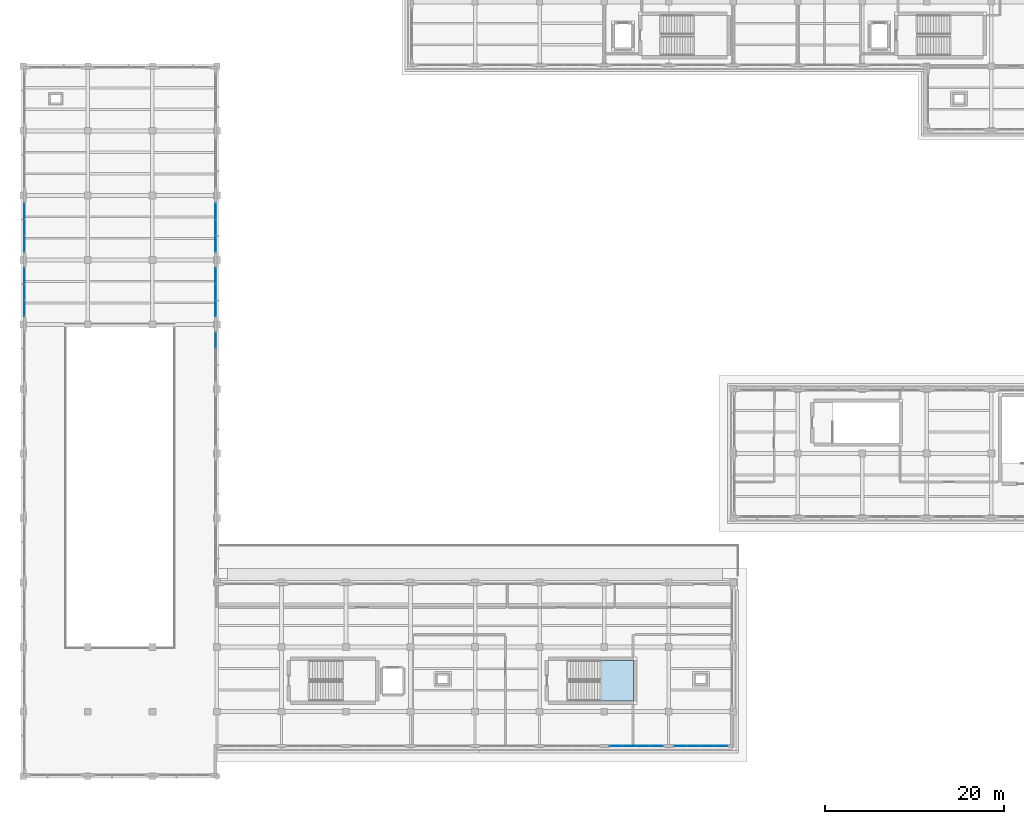
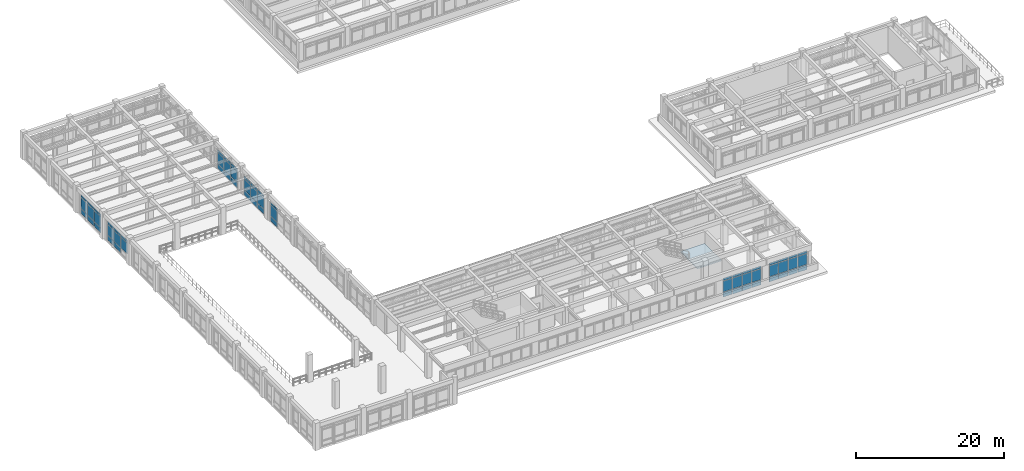
# One storey, part 36 of 64: 62 plates, 1 slab, 8 elements without a shape of their own.
"""IFC4 building model written with IfcOpenShell, lengths in metres."""

from ifc_helpers import new_model, si_unit, direction, frame, origin, origin_2d, place, context, subcontext, project, spatial, polyline, rectangle, outline, extrude, material, layer, layer_set, type_object, element, aggregate, save


model = new_model("IFC4")

# Units and contexts
model_context = context("Model", 3, precision=1e-05, world=origin(), true_north=direction((0.0, 1.0)))
body_context = subcontext(model_context, "Body", "Model", "MODEL_VIEW")
ifc_project = project(units=[si_unit("LENGTHUNIT", "METRE"), si_unit("AREAUNIT", "SQUARE_METRE"), si_unit("VOLUMEUNIT", "CUBIC_METRE"), si_unit("PLANEANGLEUNIT", "RADIAN"), si_unit("MASSUNIT", "GRAM", prefix="KILO")], contexts=[model_context])

# Site, building, storey
site_placement = place(None, origin())
site = spatial("IfcSite", under=ifc_project, at=site_placement, CompositionType="ELEMENT")
building_placement = place(site_placement, origin())
building = spatial("IfcBuilding", under=site, at=building_placement, Name="Solenvale Faculty of Natural Sciences", CompositionType="ELEMENT")
storey_placement = place(building_placement, frame((0.0, 0.0, 18.0)))
storey = spatial("IfcBuildingStorey", under=building, at=storey_placement, Name="L04", CompositionType="ELEMENT", Elevation=18.0)

# Curtain wall, plates
ifc_material_1 = material(Name="Anodised bronze aluminium", Category="aluminium")
ifc_layer_1 = layer(ifc_material_1, 0.215087890625)
ifc_layer_set_1 = layer_set([ifc_layer_1], Name="Anodised bronze aluminium")
curtain_wall_type_1 = type_object("IfcCurtainWallType", Name="CW-ATR-UNIT", PredefinedType="USERDEFINED", material=ifc_layer_set_1)
curtain_wall_1_placement = place(storey_placement, origin())
curtain_wall_1 = element("IfcCurtainWall", 1, at=curtain_wall_1_placement, inside=storey, type_object=curtain_wall_type_1, Name="L04 Curtain Wall CW-L04-P1-E1-B4", ObjectType="UNITISED CURTAIN WALL", PredefinedType="USERDEFINED")
ifc_material_2 = material(Name="Triple low-E insulated glass", Category="glass")
ifc_layer_2 = layer(ifc_material_2, 0.035888671875)
ifc_layer_set_2 = layer_set([ifc_layer_2], Name="Triple low-E insulated glass")
plate_type_1 = type_object("IfcPlateType", Name="CWP-PNL-36", PredefinedType="CURTAIN_PANEL", material=ifc_layer_set_2)
plate_1_placement = place(storey_placement, frame((57.45751953125, 63.0146484375, 0.074951171875), z_axis=(0.0, 0.0, 1.0), x_axis=(0.0, 1.0, 0.0)))
plate_1 = element("IfcPlate", 2, at=plate_1_placement, type_object=plate_type_1, Name="CW-01 panel 3.1", PredefinedType="CURTAIN_PANEL", context=body_context, shape_type="SweptSolid", body=[
    extrude(rectangle(XDim=1.720947265625, YDim=0.035888671875, at=origin_2d()), origin(), (0.0, 0.0, 1.0), 0.78759765625),
])
plate_2_placement = place(storey_placement, frame((57.45751953125, 63.0146484375, 0.9375), z_axis=(0.0, 0.0, 1.0), x_axis=(0.0, 1.0, 0.0)))
plate_2 = element("IfcPlate", 3, at=plate_2_placement, type_object=plate_type_1, Name="CW-01 panel 3.2", PredefinedType="CURTAIN_PANEL", context=body_context, shape_type="SweptSolid", body=[
    extrude(rectangle(XDim=1.720947265625, YDim=0.035888671875, at=origin_2d()), origin(), (0.0, 0.0, 1.0), 1.784912109375),
])
plate_3_placement = place(storey_placement, frame((57.45751953125, 63.0146484375, 2.79736328125), z_axis=(0.0, 0.0, 1.0), x_axis=(0.0, 1.0, 0.0)))
plate_3 = element("IfcPlate", 4, at=plate_3_placement, type_object=plate_type_1, Name="CW-01 panel 3.3", PredefinedType="CURTAIN_PANEL", context=body_context, shape_type="SweptSolid", body=[
    extrude(rectangle(XDim=1.720947265625, YDim=0.035888671875, at=origin_2d()), origin(), (0.0, 0.0, 1.0), 0.387451171875),
])
aggregate(curtain_wall_1, [plate_1, plate_2, plate_3])

ifc_layer_3 = layer(ifc_material_1, 0.18994140625)
ifc_layer_set_3 = layer_set([ifc_layer_3], Name="Anodised bronze aluminium")
curtain_wall_type_2 = type_object("IfcCurtainWallType", Name="CW-TRAY-REC", PredefinedType="USERDEFINED", material=ifc_layer_set_3)
curtain_wall_2_placement = place(storey_placement, origin())
curtain_wall_2 = element("IfcCurtainWall", 5, at=curtain_wall_2_placement, inside=storey, type_object=curtain_wall_type_2, Name="L04 Curtain Wall CW-L04-P1-E6-B7", ObjectType="UNITISED CURTAIN WALL", PredefinedType="USERDEFINED")
plate_4_placement = place(storey_placement, frame((102.15380859375, 17.762451171875, 0.074951171875), z_axis=(0.0, 0.0, 1.0), x_axis=(1.0, 0.0, 0.0)))
plate_4 = element("IfcPlate", 6, at=plate_4_placement, type_object=plate_type_1, Name="CW-02 panel 1.1", PredefinedType="CURTAIN_PANEL", context=body_context, shape_type="SweptSolid", body=[
    extrude(rectangle(XDim=1.3974609375, YDim=0.035888671875, at=origin_2d()), origin(), (0.0, 0.0, 1.0), 0.78759765625),
])
plate_5_placement = place(storey_placement, frame((102.15380859375, 17.762451171875, 0.9375), z_axis=(0.0, 0.0, 1.0), x_axis=(1.0, 0.0, 0.0)))
plate_5 = element("IfcPlate", 7, at=plate_5_placement, type_object=plate_type_1, Name="CW-02 panel 1.2", PredefinedType="CURTAIN_PANEL", context=body_context, shape_type="SweptSolid", body=[
    extrude(rectangle(XDim=1.3974609375, YDim=0.035888671875, at=origin_2d()), origin(), (0.0, 0.0, 1.0), 1.784912109375),
])
plate_6_placement = place(storey_placement, frame((102.15380859375, 17.762451171875, 2.79736328125), z_axis=(0.0, 0.0, 1.0), x_axis=(1.0, 0.0, 0.0)))
plate_6 = element("IfcPlate", 8, at=plate_6_placement, type_object=plate_type_1, Name="CW-02 panel 1.3", PredefinedType="CURTAIN_PANEL", context=body_context, shape_type="SweptSolid", body=[
    extrude(rectangle(XDim=1.3974609375, YDim=0.035888671875, at=origin_2d()), origin(), (0.0, 0.0, 1.0), 0.387451171875),
])
plate_7_placement = place(storey_placement, frame((103.64501953125, 17.762451171875, 0.074951171875), z_axis=(0.0, 0.0, 1.0), x_axis=(1.0, 0.0, 0.0)))
plate_7 = element("IfcPlate", 9, at=plate_7_placement, type_object=plate_type_1, Name="CW-02 panel 2.1", PredefinedType="CURTAIN_PANEL", context=body_context, shape_type="SweptSolid", body=[
    extrude(rectangle(XDim=1.43505859375, YDim=0.035888671875, at=origin_2d()), origin(), (0.0, 0.0, 1.0), 0.78759765625),
])
plate_8_placement = place(storey_placement, frame((103.64501953125, 17.762451171875, 0.9375), z_axis=(0.0, 0.0, 1.0), x_axis=(1.0, 0.0, 0.0)))
plate_8 = element("IfcPlate", 10, at=plate_8_placement, type_object=plate_type_1, Name="CW-02 panel 2.2", PredefinedType="CURTAIN_PANEL", context=body_context, shape_type="SweptSolid", body=[
    extrude(rectangle(XDim=1.43505859375, YDim=0.035888671875, at=origin_2d()), origin(), (0.0, 0.0, 1.0), 1.784912109375),
])
plate_9_placement = place(storey_placement, frame((103.64501953125, 17.762451171875, 2.79736328125), z_axis=(0.0, 0.0, 1.0), x_axis=(1.0, 0.0, 0.0)))
plate_9 = element("IfcPlate", 11, at=plate_9_placement, type_object=plate_type_1, Name="CW-02 panel 2.3", PredefinedType="CURTAIN_PANEL", context=body_context, shape_type="SweptSolid", body=[
    extrude(rectangle(XDim=1.43505859375, YDim=0.035888671875, at=origin_2d()), origin(), (0.0, 0.0, 1.0), 0.387451171875),
])
plate_10_placement = place(storey_placement, frame((105.155029296875, 17.762451171875, 0.074951171875), z_axis=(0.0, 0.0, 1.0), x_axis=(1.0, 0.0, 0.0)))
plate_10 = element("IfcPlate", 12, at=plate_10_placement, type_object=plate_type_1, Name="CW-02 panel 3.1", PredefinedType="CURTAIN_PANEL", context=body_context, shape_type="SweptSolid", body=[
    extrude(rectangle(XDim=1.43505859375, YDim=0.035888671875, at=origin_2d()), origin(), (0.0, 0.0, 1.0), 0.78759765625),
])
plate_11_placement = place(storey_placement, frame((105.155029296875, 17.762451171875, 0.9375), z_axis=(0.0, 0.0, 1.0), x_axis=(1.0, 0.0, 0.0)))
plate_11 = element("IfcPlate", 13, at=plate_11_placement, type_object=plate_type_1, Name="CW-02 panel 3.2", PredefinedType="CURTAIN_PANEL", context=body_context, shape_type="SweptSolid", body=[
    extrude(rectangle(XDim=1.43505859375, YDim=0.035888671875, at=origin_2d()), origin(), (0.0, 0.0, 1.0), 1.784912109375),
])
plate_12_placement = place(storey_placement, frame((105.155029296875, 17.762451171875, 2.79736328125), z_axis=(0.0, 0.0, 1.0), x_axis=(1.0, 0.0, 0.0)))
plate_12 = element("IfcPlate", 14, at=plate_12_placement, type_object=plate_type_1, Name="CW-02 panel 3.3", PredefinedType="CURTAIN_PANEL", context=body_context, shape_type="SweptSolid", body=[
    extrude(rectangle(XDim=1.43505859375, YDim=0.035888671875, at=origin_2d()), origin(), (0.0, 0.0, 1.0), 0.387451171875),
])
plate_13_placement = place(storey_placement, frame((106.646240234375, 17.762451171875, 0.074951171875), z_axis=(0.0, 0.0, 1.0), x_axis=(1.0, 0.0, 0.0)))
plate_13 = element("IfcPlate", 15, at=plate_13_placement, type_object=plate_type_1, Name="CW-02 panel 4.1", PredefinedType="CURTAIN_PANEL", context=body_context, shape_type="SweptSolid", body=[
    extrude(rectangle(XDim=1.3974609375, YDim=0.035888671875, at=origin_2d()), origin(), (0.0, 0.0, 1.0), 0.78759765625),
])
plate_14_placement = place(storey_placement, frame((106.646240234375, 17.762451171875, 0.9375), z_axis=(0.0, 0.0, 1.0), x_axis=(1.0, 0.0, 0.0)))
plate_14 = element("IfcPlate", 16, at=plate_14_placement, type_object=plate_type_1, Name="CW-02 panel 4.2", PredefinedType="CURTAIN_PANEL", context=body_context, shape_type="SweptSolid", body=[
    extrude(rectangle(XDim=1.3974609375, YDim=0.035888671875, at=origin_2d()), origin(), (0.0, 0.0, 1.0), 1.784912109375),
])
plate_15_placement = place(storey_placement, frame((106.646240234375, 17.762451171875, 2.79736328125), z_axis=(0.0, 0.0, 1.0), x_axis=(1.0, 0.0, 0.0)))
plate_15 = element("IfcPlate", 17, at=plate_15_placement, type_object=plate_type_1, Name="CW-02 panel 4.3", PredefinedType="CURTAIN_PANEL", context=body_context, shape_type="SweptSolid", body=[
    extrude(rectangle(XDim=1.3974609375, YDim=0.035888671875, at=origin_2d()), origin(), (0.0, 0.0, 1.0), 0.387451171875),
])
aggregate(curtain_wall_2, [plate_4, plate_5, plate_6, plate_7, plate_8, plate_9, plate_10, plate_11, plate_12, plate_13, plate_14, plate_15])

curtain_wall_3_placement = place(storey_placement, origin())
curtain_wall_3 = element("IfcCurtainWall", 18, at=curtain_wall_3_placement, inside=storey, type_object=curtain_wall_type_1, Name="L04 Curtain Wall CW-L04-P1-E1-B5", ObjectType="UNITISED CURTAIN WALL", PredefinedType="USERDEFINED")
ifc_layer_4 = layer(ifc_material_2, 0.0400390625)
ifc_layer_set_4 = layer_set([ifc_layer_4], Name="Triple low-E insulated glass")
plate_type_2 = type_object("IfcPlateType", Name="CWP-PNL-40", PredefinedType="CURTAIN_PANEL", material=ifc_layer_set_4)
plate_16_placement = place(storey_placement, frame((57.45751953125, 66.58544921875, 0.074951171875), z_axis=(0.0, 0.0, 1.0), x_axis=(0.0, 1.0, 0.0)))
plate_16 = element("IfcPlate", 19, at=plate_16_placement, type_object=plate_type_2, Name="CW-01 panel 1.1", PredefinedType="CURTAIN_PANEL", context=body_context, shape_type="SweptSolid", body=[
    extrude(rectangle(XDim=1.720947265625, YDim=0.0400390625, at=origin_2d()), origin(), (0.0, 0.0, 1.0), 0.78759765625),
])
plate_17_placement = place(storey_placement, frame((57.45751953125, 66.58544921875, 0.9375), z_axis=(0.0, 0.0, 1.0), x_axis=(0.0, 1.0, 0.0)))
plate_17 = element("IfcPlate", 20, at=plate_17_placement, type_object=plate_type_2, Name="CW-01 panel 1.2", PredefinedType="CURTAIN_PANEL", context=body_context, shape_type="SweptSolid", body=[
    extrude(rectangle(XDim=1.720947265625, YDim=0.0400390625, at=origin_2d()), origin(), (0.0, 0.0, 1.0), 1.784912109375),
])
plate_18_placement = place(storey_placement, frame((57.45751953125, 66.58544921875, 2.79736328125), z_axis=(0.0, 0.0, 1.0), x_axis=(0.0, 1.0, 0.0)))
plate_18 = element("IfcPlate", 21, at=plate_18_placement, type_object=plate_type_2, Name="CW-01 panel 1.3", PredefinedType="CURTAIN_PANEL", context=body_context, shape_type="SweptSolid", body=[
    extrude(rectangle(XDim=1.720947265625, YDim=0.0400390625, at=origin_2d()), origin(), (0.0, 0.0, 1.0), 0.387451171875),
])
plate_19_placement = place(storey_placement, frame((57.45751953125, 68.39990234375, 0.074951171875), z_axis=(0.0, 0.0, 1.0), x_axis=(0.0, 1.0, 0.0)))
plate_19 = element("IfcPlate", 22, at=plate_19_placement, type_object=plate_type_2, Name="CW-01 panel 2.1", PredefinedType="CURTAIN_PANEL", context=body_context, shape_type="SweptSolid", body=[
    extrude(rectangle(XDim=1.75830078125, YDim=0.0400390625, at=origin_2d()), origin(), (0.0, 0.0, 1.0), 0.78759765625),
])
plate_20_placement = place(storey_placement, frame((57.45751953125, 68.39990234375, 0.9375), z_axis=(0.0, 0.0, 1.0), x_axis=(0.0, 1.0, 0.0)))
plate_20 = element("IfcPlate", 23, at=plate_20_placement, type_object=plate_type_2, Name="CW-01 panel 2.2", PredefinedType="CURTAIN_PANEL", context=body_context, shape_type="SweptSolid", body=[
    extrude(rectangle(XDim=1.75830078125, YDim=0.0400390625, at=origin_2d()), origin(), (0.0, 0.0, 1.0), 1.784912109375),
])
plate_21_placement = place(storey_placement, frame((57.45751953125, 68.39990234375, 2.79736328125), z_axis=(0.0, 0.0, 1.0), x_axis=(0.0, 1.0, 0.0)))
plate_21 = element("IfcPlate", 24, at=plate_21_placement, type_object=plate_type_2, Name="CW-01 panel 2.3", PredefinedType="CURTAIN_PANEL", context=body_context, shape_type="SweptSolid", body=[
    extrude(rectangle(XDim=1.75830078125, YDim=0.0400390625, at=origin_2d()), origin(), (0.0, 0.0, 1.0), 0.387451171875),
])
plate_22_placement = place(storey_placement, frame((57.45751953125, 70.214599609375, 0.074951171875), z_axis=(0.0, 0.0, 1.0), x_axis=(0.0, 1.0, 0.0)))
plate_22 = element("IfcPlate", 25, at=plate_22_placement, type_object=plate_type_2, Name="CW-01 panel 3.1", PredefinedType="CURTAIN_PANEL", context=body_context, shape_type="SweptSolid", body=[
    extrude(rectangle(XDim=1.720947265625, YDim=0.0400390625, at=origin_2d()), origin(), (0.0, 0.0, 1.0), 0.78759765625),
])
plate_23_placement = place(storey_placement, frame((57.45751953125, 70.214599609375, 0.9375), z_axis=(0.0, 0.0, 1.0), x_axis=(0.0, 1.0, 0.0)))
plate_23 = element("IfcPlate", 26, at=plate_23_placement, type_object=plate_type_2, Name="CW-01 panel 3.2", PredefinedType="CURTAIN_PANEL", context=body_context, shape_type="SweptSolid", body=[
    extrude(rectangle(XDim=1.720947265625, YDim=0.0400390625, at=origin_2d()), origin(), (0.0, 0.0, 1.0), 1.784912109375),
])
plate_24_placement = place(storey_placement, frame((57.45751953125, 70.214599609375, 2.79736328125), z_axis=(0.0, 0.0, 1.0), x_axis=(0.0, 1.0, 0.0)))
plate_24 = element("IfcPlate", 27, at=plate_24_placement, type_object=plate_type_2, Name="CW-01 panel 3.3", PredefinedType="CURTAIN_PANEL", context=body_context, shape_type="SweptSolid", body=[
    extrude(rectangle(XDim=1.720947265625, YDim=0.0400390625, at=origin_2d()), origin(), (0.0, 0.0, 1.0), 0.387451171875),
])
aggregate(curtain_wall_3, [plate_16, plate_17, plate_18, plate_19, plate_20, plate_21, plate_22, plate_23, plate_24])

curtain_wall_4_placement = place(storey_placement, origin())
curtain_wall_4 = element("IfcCurtainWall", 28, at=curtain_wall_4_placement, inside=storey, type_object=curtain_wall_type_1, Name="L04 Curtain Wall CW-L04-P1-E3-B3", ObjectType="UNITISED CURTAIN WALL", PredefinedType="USERDEFINED")
plate_25_placement = place(storey_placement, frame((36.142578125, 77.41455078125, 0.074951171875), z_axis=(0.0, 0.0, 1.0), x_axis=(0.0, -1.0, 0.0)))
plate_25 = element("IfcPlate", 29, at=plate_25_placement, type_object=plate_type_2, Name="CW-01 panel 1.1", PredefinedType="CURTAIN_PANEL", context=body_context, shape_type="SweptSolid", body=[
    extrude(rectangle(XDim=1.720947265625, YDim=0.0400390625, at=origin_2d()), origin(), (0.0, 0.0, 1.0), 0.78759765625),
])
plate_26_placement = place(storey_placement, frame((36.142578125, 77.41455078125, 0.9375), z_axis=(0.0, 0.0, 1.0), x_axis=(0.0, -1.0, 0.0)))
plate_26 = element("IfcPlate", 30, at=plate_26_placement, type_object=plate_type_2, Name="CW-01 panel 1.2", PredefinedType="CURTAIN_PANEL", context=body_context, shape_type="SweptSolid", body=[
    extrude(rectangle(XDim=1.720947265625, YDim=0.0400390625, at=origin_2d()), origin(), (0.0, 0.0, 1.0), 1.784912109375),
])
plate_27_placement = place(storey_placement, frame((36.142578125, 77.41455078125, 2.79736328125), z_axis=(0.0, 0.0, 1.0), x_axis=(0.0, -1.0, 0.0)))
plate_27 = element("IfcPlate", 31, at=plate_27_placement, type_object=plate_type_2, Name="CW-01 panel 1.3", PredefinedType="CURTAIN_PANEL", context=body_context, shape_type="SweptSolid", body=[
    extrude(rectangle(XDim=1.720947265625, YDim=0.0400390625, at=origin_2d()), origin(), (0.0, 0.0, 1.0), 0.387451171875),
])
plate_28_placement = place(storey_placement, frame((36.142578125, 75.60009765625, 0.074951171875), z_axis=(0.0, 0.0, 1.0), x_axis=(0.0, -1.0, 0.0)))
plate_28 = element("IfcPlate", 32, at=plate_28_placement, type_object=plate_type_2, Name="CW-01 panel 2.1", PredefinedType="CURTAIN_PANEL", context=body_context, shape_type="SweptSolid", body=[
    extrude(rectangle(XDim=1.75830078125, YDim=0.0400390625, at=origin_2d()), origin(), (0.0, 0.0, 1.0), 0.78759765625),
])
plate_29_placement = place(storey_placement, frame((36.142578125, 75.60009765625, 0.9375), z_axis=(0.0, 0.0, 1.0), x_axis=(0.0, -1.0, 0.0)))
plate_29 = element("IfcPlate", 33, at=plate_29_placement, type_object=plate_type_2, Name="CW-01 panel 2.2", PredefinedType="CURTAIN_PANEL", context=body_context, shape_type="SweptSolid", body=[
    extrude(rectangle(XDim=1.75830078125, YDim=0.0400390625, at=origin_2d()), origin(), (0.0, 0.0, 1.0), 1.784912109375),
])
plate_30_placement = place(storey_placement, frame((36.142578125, 75.60009765625, 2.79736328125), z_axis=(0.0, 0.0, 1.0), x_axis=(0.0, -1.0, 0.0)))
plate_30 = element("IfcPlate", 34, at=plate_30_placement, type_object=plate_type_2, Name="CW-01 panel 2.3", PredefinedType="CURTAIN_PANEL", context=body_context, shape_type="SweptSolid", body=[
    extrude(rectangle(XDim=1.75830078125, YDim=0.0400390625, at=origin_2d()), origin(), (0.0, 0.0, 1.0), 0.387451171875),
])
plate_31_placement = place(storey_placement, frame((36.142578125, 73.785400390625, 0.074951171875), z_axis=(0.0, 0.0, 1.0), x_axis=(0.0, -1.0, 0.0)))
plate_31 = element("IfcPlate", 35, at=plate_31_placement, type_object=plate_type_2, Name="CW-01 panel 3.1", PredefinedType="CURTAIN_PANEL", context=body_context, shape_type="SweptSolid", body=[
    extrude(rectangle(XDim=1.720947265625, YDim=0.0400390625, at=origin_2d()), origin(), (0.0, 0.0, 1.0), 0.78759765625),
])
plate_32_placement = place(storey_placement, frame((36.142578125, 73.785400390625, 0.9375), z_axis=(0.0, 0.0, 1.0), x_axis=(0.0, -1.0, 0.0)))
plate_32 = element("IfcPlate", 36, at=plate_32_placement, type_object=plate_type_2, Name="CW-01 panel 3.2", PredefinedType="CURTAIN_PANEL", context=body_context, shape_type="SweptSolid", body=[
    extrude(rectangle(XDim=1.720947265625, YDim=0.0400390625, at=origin_2d()), origin(), (0.0, 0.0, 1.0), 1.784912109375),
])
plate_33_placement = place(storey_placement, frame((36.142578125, 73.785400390625, 2.79736328125), z_axis=(0.0, 0.0, 1.0), x_axis=(0.0, -1.0, 0.0)))
plate_33 = element("IfcPlate", 37, at=plate_33_placement, type_object=plate_type_2, Name="CW-01 panel 3.3", PredefinedType="CURTAIN_PANEL", context=body_context, shape_type="SweptSolid", body=[
    extrude(rectangle(XDim=1.720947265625, YDim=0.0400390625, at=origin_2d()), origin(), (0.0, 0.0, 1.0), 0.387451171875),
])
aggregate(curtain_wall_4, [plate_25, plate_26, plate_27, plate_28, plate_29, plate_30, plate_31, plate_32, plate_33])

curtain_wall_5_placement = place(storey_placement, origin())
curtain_wall_5 = element("IfcCurtainWall", 38, at=curtain_wall_5_placement, inside=storey, type_object=curtain_wall_type_2, Name="L04 Curtain Wall CW-L04-P1-E6-B8", ObjectType="UNITISED CURTAIN WALL", PredefinedType="USERDEFINED")
plate_34_placement = place(storey_placement, frame((109.353759765625, 17.762451171875, 0.074951171875), z_axis=(0.0, 0.0, 1.0), x_axis=(1.0, 0.0, 0.0)))
plate_34 = element("IfcPlate", 39, at=plate_34_placement, type_object=plate_type_2, Name="CW-02 panel 1.1", PredefinedType="CURTAIN_PANEL", context=body_context, shape_type="SweptSolid", body=[
    extrude(rectangle(XDim=1.3974609375, YDim=0.0400390625, at=origin_2d()), origin(), (0.0, 0.0, 1.0), 0.78759765625),
])
plate_35_placement = place(storey_placement, frame((109.353759765625, 17.762451171875, 0.9375), z_axis=(0.0, 0.0, 1.0), x_axis=(1.0, 0.0, 0.0)))
plate_35 = element("IfcPlate", 40, at=plate_35_placement, type_object=plate_type_2, Name="CW-02 panel 1.2", PredefinedType="CURTAIN_PANEL", context=body_context, shape_type="SweptSolid", body=[
    extrude(rectangle(XDim=1.3974609375, YDim=0.0400390625, at=origin_2d()), origin(), (0.0, 0.0, 1.0), 1.784912109375),
])
plate_36_placement = place(storey_placement, frame((109.353759765625, 17.762451171875, 2.79736328125), z_axis=(0.0, 0.0, 1.0), x_axis=(1.0, 0.0, 0.0)))
plate_36 = element("IfcPlate", 41, at=plate_36_placement, type_object=plate_type_2, Name="CW-02 panel 1.3", PredefinedType="CURTAIN_PANEL", context=body_context, shape_type="SweptSolid", body=[
    extrude(rectangle(XDim=1.3974609375, YDim=0.0400390625, at=origin_2d()), origin(), (0.0, 0.0, 1.0), 0.387451171875),
])
plate_37_placement = place(storey_placement, frame((110.844970703125, 17.762451171875, 0.074951171875), z_axis=(0.0, 0.0, 1.0), x_axis=(1.0, 0.0, 0.0)))
plate_37 = element("IfcPlate", 42, at=plate_37_placement, type_object=plate_type_2, Name="CW-02 panel 2.1", PredefinedType="CURTAIN_PANEL", context=body_context, shape_type="SweptSolid", body=[
    extrude(rectangle(XDim=1.43505859375, YDim=0.0400390625, at=origin_2d()), origin(), (0.0, 0.0, 1.0), 0.78759765625),
])
plate_38_placement = place(storey_placement, frame((110.844970703125, 17.762451171875, 0.9375), z_axis=(0.0, 0.0, 1.0), x_axis=(1.0, 0.0, 0.0)))
plate_38 = element("IfcPlate", 43, at=plate_38_placement, type_object=plate_type_2, Name="CW-02 panel 2.2", PredefinedType="CURTAIN_PANEL", context=body_context, shape_type="SweptSolid", body=[
    extrude(rectangle(XDim=1.43505859375, YDim=0.0400390625, at=origin_2d()), origin(), (0.0, 0.0, 1.0), 1.784912109375),
])
plate_39_placement = place(storey_placement, frame((110.844970703125, 17.762451171875, 2.79736328125), z_axis=(0.0, 0.0, 1.0), x_axis=(1.0, 0.0, 0.0)))
plate_39 = element("IfcPlate", 44, at=plate_39_placement, type_object=plate_type_2, Name="CW-02 panel 2.3", PredefinedType="CURTAIN_PANEL", context=body_context, shape_type="SweptSolid", body=[
    extrude(rectangle(XDim=1.43505859375, YDim=0.0400390625, at=origin_2d()), origin(), (0.0, 0.0, 1.0), 0.387451171875),
])
plate_40_placement = place(storey_placement, frame((112.35498046875, 17.762451171875, 0.074951171875), z_axis=(0.0, 0.0, 1.0), x_axis=(1.0, 0.0, 0.0)))
plate_40 = element("IfcPlate", 45, at=plate_40_placement, type_object=plate_type_2, Name="CW-02 panel 3.1", PredefinedType="CURTAIN_PANEL", context=body_context, shape_type="SweptSolid", body=[
    extrude(rectangle(XDim=1.43505859375, YDim=0.0400390625, at=origin_2d()), origin(), (0.0, 0.0, 1.0), 0.78759765625),
])
plate_41_placement = place(storey_placement, frame((112.35498046875, 17.762451171875, 0.9375), z_axis=(0.0, 0.0, 1.0), x_axis=(1.0, 0.0, 0.0)))
plate_41 = element("IfcPlate", 46, at=plate_41_placement, type_object=plate_type_2, Name="CW-02 panel 3.2", PredefinedType="CURTAIN_PANEL", context=body_context, shape_type="SweptSolid", body=[
    extrude(rectangle(XDim=1.43505859375, YDim=0.0400390625, at=origin_2d()), origin(), (0.0, 0.0, 1.0), 1.784912109375),
])
plate_42_placement = place(storey_placement, frame((112.35498046875, 17.762451171875, 2.79736328125), z_axis=(0.0, 0.0, 1.0), x_axis=(1.0, 0.0, 0.0)))
plate_42 = element("IfcPlate", 47, at=plate_42_placement, type_object=plate_type_2, Name="CW-02 panel 3.3", PredefinedType="CURTAIN_PANEL", context=body_context, shape_type="SweptSolid", body=[
    extrude(rectangle(XDim=1.43505859375, YDim=0.0400390625, at=origin_2d()), origin(), (0.0, 0.0, 1.0), 0.387451171875),
])
plate_43_placement = place(storey_placement, frame((113.84619140625, 17.762451171875, 0.074951171875), z_axis=(0.0, 0.0, 1.0), x_axis=(1.0, 0.0, 0.0)))
plate_43 = element("IfcPlate", 48, at=plate_43_placement, type_object=plate_type_2, Name="CW-02 panel 4.1", PredefinedType="CURTAIN_PANEL", context=body_context, shape_type="SweptSolid", body=[
    extrude(rectangle(XDim=1.3974609375, YDim=0.0400390625, at=origin_2d()), origin(), (0.0, 0.0, 1.0), 0.78759765625),
])
plate_44_placement = place(storey_placement, frame((113.84619140625, 17.762451171875, 0.9375), z_axis=(0.0, 0.0, 1.0), x_axis=(1.0, 0.0, 0.0)))
plate_44 = element("IfcPlate", 49, at=plate_44_placement, type_object=plate_type_2, Name="CW-02 panel 4.2", PredefinedType="CURTAIN_PANEL", context=body_context, shape_type="SweptSolid", body=[
    extrude(rectangle(XDim=1.3974609375, YDim=0.0400390625, at=origin_2d()), origin(), (0.0, 0.0, 1.0), 1.784912109375),
])
plate_45_placement = place(storey_placement, frame((113.84619140625, 17.762451171875, 2.79736328125), z_axis=(0.0, 0.0, 1.0), x_axis=(1.0, 0.0, 0.0)))
plate_45 = element("IfcPlate", 50, at=plate_45_placement, type_object=plate_type_2, Name="CW-02 panel 4.3", PredefinedType="CURTAIN_PANEL", context=body_context, shape_type="SweptSolid", body=[
    extrude(rectangle(XDim=1.3974609375, YDim=0.0400390625, at=origin_2d()), origin(), (0.0, 0.0, 1.0), 0.387451171875),
])
aggregate(curtain_wall_5, [plate_34, plate_35, plate_36, plate_37, plate_38, plate_39, plate_40, plate_41, plate_42, plate_43, plate_44, plate_45])

curtain_wall_6_placement = place(storey_placement, origin())
curtain_wall_6 = element("IfcCurtainWall", 51, at=curtain_wall_6_placement, inside=storey, type_object=curtain_wall_type_1, Name="L04 Curtain Wall CW-L04-P1-E1-B6", ObjectType="UNITISED CURTAIN WALL", PredefinedType="USERDEFINED")
ifc_layer_5 = layer(ifc_material_2, 0.0439453125)
ifc_layer_set_5 = layer_set([ifc_layer_5], Name="Triple low-E insulated glass")
plate_type_3 = type_object("IfcPlateType", Name="CWP-PNL-44", PredefinedType="CURTAIN_PANEL", material=ifc_layer_set_5)
plate_46_placement = place(storey_placement, frame((57.45751953125, 73.785400390625, 0.074951171875), z_axis=(0.0, 0.0, 1.0), x_axis=(0.0, 1.0, 0.0)))
plate_46 = element("IfcPlate", 52, at=plate_46_placement, type_object=plate_type_3, Name="CW-01 panel 1.1", PredefinedType="CURTAIN_PANEL", context=body_context, shape_type="SweptSolid", body=[
    extrude(rectangle(XDim=1.720947265625, YDim=0.0439453125, at=origin_2d()), origin(), (0.0, 0.0, 1.0), 0.78759765625),
])
plate_47_placement = place(storey_placement, frame((57.45751953125, 73.785400390625, 0.9375), z_axis=(0.0, 0.0, 1.0), x_axis=(0.0, 1.0, 0.0)))
plate_47 = element("IfcPlate", 53, at=plate_47_placement, type_object=plate_type_3, Name="CW-01 panel 1.2", PredefinedType="CURTAIN_PANEL", context=body_context, shape_type="SweptSolid", body=[
    extrude(rectangle(XDim=1.720947265625, YDim=0.0439453125, at=origin_2d()), origin(), (0.0, 0.0, 1.0), 1.784912109375),
])
plate_48_placement = place(storey_placement, frame((57.45751953125, 73.785400390625, 2.79736328125), z_axis=(0.0, 0.0, 1.0), x_axis=(0.0, 1.0, 0.0)))
plate_48 = element("IfcPlate", 54, at=plate_48_placement, type_object=plate_type_3, Name="CW-01 panel 1.3", PredefinedType="CURTAIN_PANEL", context=body_context, shape_type="SweptSolid", body=[
    extrude(rectangle(XDim=1.720947265625, YDim=0.0439453125, at=origin_2d()), origin(), (0.0, 0.0, 1.0), 0.387451171875),
])
plate_49_placement = place(storey_placement, frame((57.45751953125, 75.60009765625, 0.074951171875), z_axis=(0.0, 0.0, 1.0), x_axis=(0.0, 1.0, 0.0)))
plate_49 = element("IfcPlate", 55, at=plate_49_placement, type_object=plate_type_3, Name="CW-01 panel 2.1", PredefinedType="CURTAIN_PANEL", context=body_context, shape_type="SweptSolid", body=[
    extrude(rectangle(XDim=1.75830078125, YDim=0.0439453125, at=origin_2d()), origin(), (0.0, 0.0, 1.0), 0.78759765625),
])
plate_50_placement = place(storey_placement, frame((57.45751953125, 75.60009765625, 0.9375), z_axis=(0.0, 0.0, 1.0), x_axis=(0.0, 1.0, 0.0)))
plate_50 = element("IfcPlate", 56, at=plate_50_placement, type_object=plate_type_3, Name="CW-01 panel 2.2", PredefinedType="CURTAIN_PANEL", context=body_context, shape_type="SweptSolid", body=[
    extrude(rectangle(XDim=1.75830078125, YDim=0.0439453125, at=origin_2d()), origin(), (0.0, 0.0, 1.0), 1.784912109375),
])
plate_51_placement = place(storey_placement, frame((57.45751953125, 75.60009765625, 2.79736328125), z_axis=(0.0, 0.0, 1.0), x_axis=(0.0, 1.0, 0.0)))
plate_51 = element("IfcPlate", 57, at=plate_51_placement, type_object=plate_type_3, Name="CW-01 panel 2.3", PredefinedType="CURTAIN_PANEL", context=body_context, shape_type="SweptSolid", body=[
    extrude(rectangle(XDim=1.75830078125, YDim=0.0439453125, at=origin_2d()), origin(), (0.0, 0.0, 1.0), 0.387451171875),
])
plate_52_placement = place(storey_placement, frame((57.45751953125, 77.41455078125, 0.074951171875), z_axis=(0.0, 0.0, 1.0), x_axis=(0.0, 1.0, 0.0)))
plate_52 = element("IfcPlate", 58, at=plate_52_placement, type_object=plate_type_3, Name="CW-01 panel 3.1", PredefinedType="CURTAIN_PANEL", context=body_context, shape_type="SweptSolid", body=[
    extrude(rectangle(XDim=1.720947265625, YDim=0.0439453125, at=origin_2d()), origin(), (0.0, 0.0, 1.0), 0.78759765625),
])
plate_53_placement = place(storey_placement, frame((57.45751953125, 77.41455078125, 0.9375), z_axis=(0.0, 0.0, 1.0), x_axis=(0.0, 1.0, 0.0)))
plate_53 = element("IfcPlate", 59, at=plate_53_placement, type_object=plate_type_3, Name="CW-01 panel 3.2", PredefinedType="CURTAIN_PANEL", context=body_context, shape_type="SweptSolid", body=[
    extrude(rectangle(XDim=1.720947265625, YDim=0.0439453125, at=origin_2d()), origin(), (0.0, 0.0, 1.0), 1.784912109375),
])
plate_54_placement = place(storey_placement, frame((57.45751953125, 77.41455078125, 2.79736328125), z_axis=(0.0, 0.0, 1.0), x_axis=(0.0, 1.0, 0.0)))
plate_54 = element("IfcPlate", 60, at=plate_54_placement, type_object=plate_type_3, Name="CW-01 panel 3.3", PredefinedType="CURTAIN_PANEL", context=body_context, shape_type="SweptSolid", body=[
    extrude(rectangle(XDim=1.720947265625, YDim=0.0439453125, at=origin_2d()), origin(), (0.0, 0.0, 1.0), 0.387451171875),
])
aggregate(curtain_wall_6, [plate_46, plate_47, plate_48, plate_49, plate_50, plate_51, plate_52, plate_53, plate_54])

curtain_wall_7_placement = place(storey_placement, origin())
curtain_wall_7 = element("IfcCurtainWall", 61, at=curtain_wall_7_placement, inside=storey, type_object=curtain_wall_type_1, Name="L04 Curtain Wall CW-L04-P1-E3-B4", ObjectType="UNITISED CURTAIN WALL", PredefinedType="USERDEFINED")
plate_55_placement = place(storey_placement, frame((36.142578125, 70.214599609375, 0.074951171875), z_axis=(0.0, 0.0, 1.0), x_axis=(0.0, -1.0, 0.0)))
plate_55 = element("IfcPlate", 62, at=plate_55_placement, type_object=plate_type_3, Name="CW-01 panel 1.1", PredefinedType="CURTAIN_PANEL", context=body_context, shape_type="SweptSolid", body=[
    extrude(rectangle(XDim=1.720947265625, YDim=0.0439453125, at=origin_2d()), origin(), (0.0, 0.0, 1.0), 0.78759765625),
])
plate_56_placement = place(storey_placement, frame((36.142578125, 70.214599609375, 0.9375), z_axis=(0.0, 0.0, 1.0), x_axis=(0.0, -1.0, 0.0)))
plate_56 = element("IfcPlate", 63, at=plate_56_placement, type_object=plate_type_3, Name="CW-01 panel 1.2", PredefinedType="CURTAIN_PANEL", context=body_context, shape_type="SweptSolid", body=[
    extrude(rectangle(XDim=1.720947265625, YDim=0.0439453125, at=origin_2d()), origin(), (0.0, 0.0, 1.0), 1.784912109375),
])
plate_57_placement = place(storey_placement, frame((36.142578125, 70.214599609375, 2.79736328125), z_axis=(0.0, 0.0, 1.0), x_axis=(0.0, -1.0, 0.0)))
plate_57 = element("IfcPlate", 64, at=plate_57_placement, type_object=plate_type_3, Name="CW-01 panel 1.3", PredefinedType="CURTAIN_PANEL", context=body_context, shape_type="SweptSolid", body=[
    extrude(rectangle(XDim=1.720947265625, YDim=0.0439453125, at=origin_2d()), origin(), (0.0, 0.0, 1.0), 0.387451171875),
])
plate_58_placement = place(storey_placement, frame((36.142578125, 68.39990234375, 0.074951171875), z_axis=(0.0, 0.0, 1.0), x_axis=(0.0, -1.0, 0.0)))
plate_58 = element("IfcPlate", 65, at=plate_58_placement, type_object=plate_type_3, Name="CW-01 panel 2.1", PredefinedType="CURTAIN_PANEL", context=body_context, shape_type="SweptSolid", body=[
    extrude(rectangle(XDim=1.75830078125, YDim=0.0439453125, at=origin_2d()), origin(), (0.0, 0.0, 1.0), 0.78759765625),
])
plate_59_placement = place(storey_placement, frame((36.142578125, 68.39990234375, 0.9375), z_axis=(0.0, 0.0, 1.0), x_axis=(0.0, -1.0, 0.0)))
plate_59 = element("IfcPlate", 66, at=plate_59_placement, type_object=plate_type_3, Name="CW-01 panel 2.2", PredefinedType="CURTAIN_PANEL", context=body_context, shape_type="SweptSolid", body=[
    extrude(rectangle(XDim=1.75830078125, YDim=0.0439453125, at=origin_2d()), origin(), (0.0, 0.0, 1.0), 1.784912109375),
])
plate_60_placement = place(storey_placement, frame((36.142578125, 68.39990234375, 2.79736328125), z_axis=(0.0, 0.0, 1.0), x_axis=(0.0, -1.0, 0.0)))
plate_60 = element("IfcPlate", 67, at=plate_60_placement, type_object=plate_type_3, Name="CW-01 panel 2.3", PredefinedType="CURTAIN_PANEL", context=body_context, shape_type="SweptSolid", body=[
    extrude(rectangle(XDim=1.75830078125, YDim=0.0439453125, at=origin_2d()), origin(), (0.0, 0.0, 1.0), 0.387451171875),
])
plate_61_placement = place(storey_placement, frame((36.142578125, 66.58544921875, 0.9375), z_axis=(0.0, 0.0, 1.0), x_axis=(0.0, -1.0, 0.0)))
plate_61 = element("IfcPlate", 68, at=plate_61_placement, type_object=plate_type_3, Name="CW-01 panel 3.2", PredefinedType="CURTAIN_PANEL", context=body_context, shape_type="SweptSolid", body=[
    extrude(rectangle(XDim=1.720947265625, YDim=0.0439453125, at=origin_2d()), origin(), (0.0, 0.0, 1.0), 1.784912109375),
])
plate_62_placement = place(storey_placement, frame((36.142578125, 66.58544921875, 2.79736328125), z_axis=(0.0, 0.0, 1.0), x_axis=(0.0, -1.0, 0.0)))
plate_62 = element("IfcPlate", 69, at=plate_62_placement, type_object=plate_type_3, Name="CW-01 panel 3.3", PredefinedType="CURTAIN_PANEL", context=body_context, shape_type="SweptSolid", body=[
    extrude(rectangle(XDim=1.720947265625, YDim=0.0439453125, at=origin_2d()), origin(), (0.0, 0.0, 1.0), 0.387451171875),
])
aggregate(curtain_wall_7, [plate_55, plate_56, plate_57, plate_58, plate_59, plate_60, plate_61, plate_62])

# Stair, slab
ifc_material_3 = material(Name="Concrete 40 MPa", Category="concrete")
stair_type = type_object("IfcStairType", Name="STR-CORE-25R", PredefinedType="DOUBLE_RETURN_STAIR", material=ifc_material_3)
stair_placement = place(storey_placement, origin())
stair = element("IfcStair", 70, at=stair_placement, inside=storey, type_object=stair_type, Name="L04 Protected Exit Stair ST-07", PredefinedType="DOUBLE_RETURN_STAIR")
ifc_layer_6 = layer(ifc_material_3, 0.195068359375)
ifc_layer_set_6 = layer_set([ifc_layer_6], Name="Concrete 40 MPa")
slab_type = type_object("IfcSlabType", Name="SL-LND-195", PredefinedType="LANDING", material=ifc_layer_set_6)
slab_placement = place(storey_placement, frame((0.0, 0.0, 2.050048828125)))
slab = element("IfcSlab", 71, at=slab_placement, type_object=slab_type, Name="ST-07 landing 1", PredefinedType="LANDING", context=body_context, shape_type="SweptSolid", body=[
    extrude(outline(polyline([(100.340087890625, 22.800048828125), (104.10009765625, 22.800048828125), (104.10009765625, 27.300048828125), (100.340087890625, 27.300048828125), (100.340087890625, 22.800048828125)])), origin(), (0.0, 0.0, 1.0), 0.199951171875),
])
aggregate(stair, [slab])

save(model, "model.ifc")
